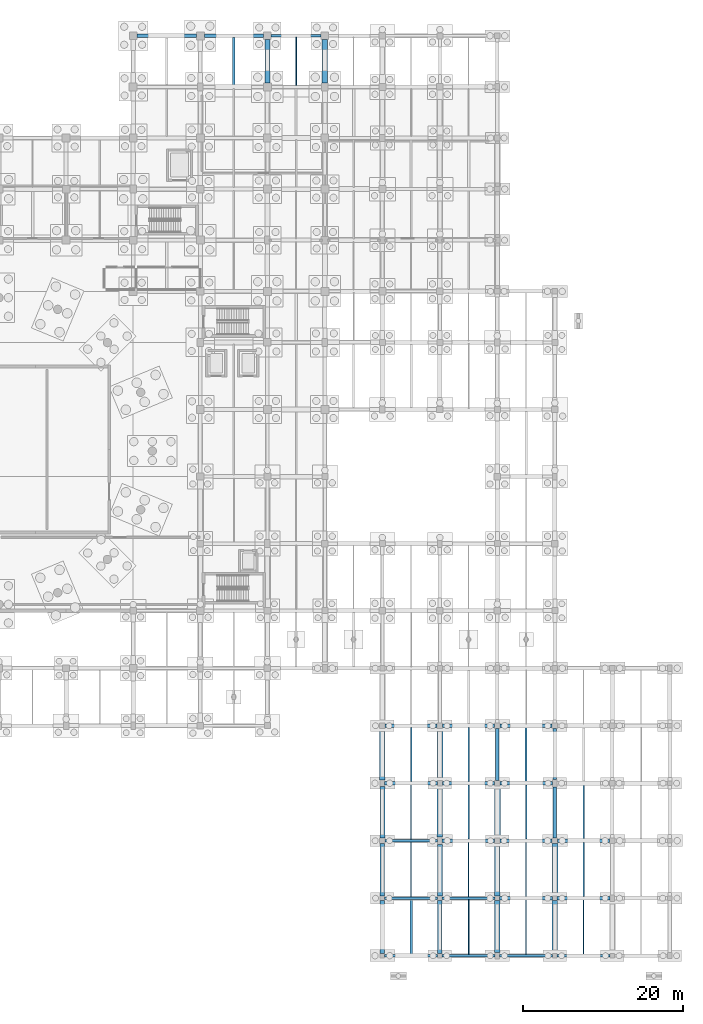
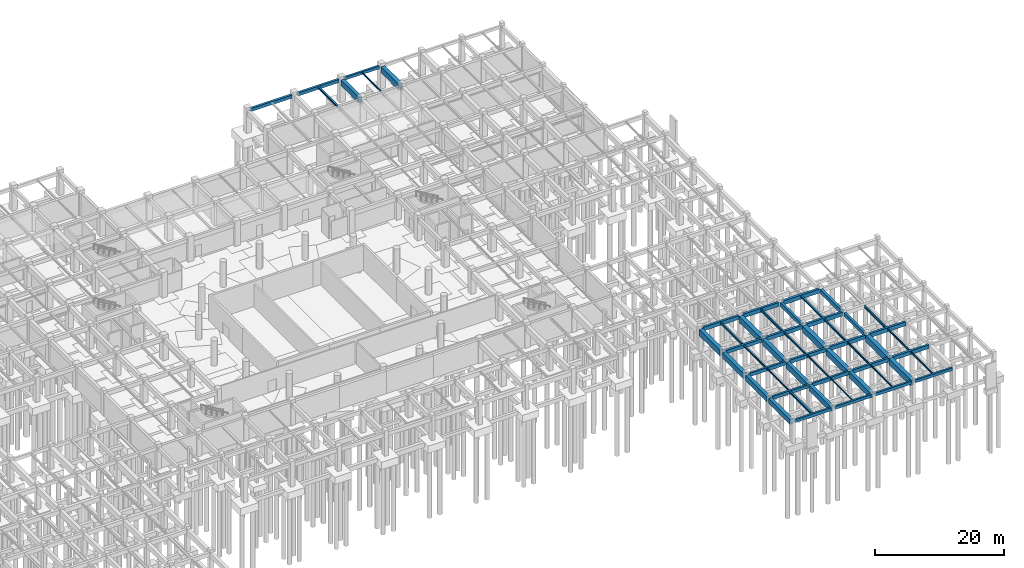
# One storey, part 26 of 44: 56 beams.
"""IFC4 building model written with IfcOpenShell, lengths in metres."""

import ifcopenshell
import ifcopenshell.guid

model = None  # the IFC model being written
_history = None  # IfcOwnerHistory: only IFC2X3 demands one
_inside = {}  # id of a spatial element -> (the spatial element, [elements in it])
_under = {}  # id of a project, library or spatial element -> (it, [spatial elements below it])
_declared = {}  # id of a project -> (the project, [libraries it declares])
_typed = {}  # id of a type object -> (the type object, [elements of that type])
_made_of = {}  # id of a material, layer set ... -> (it, [elements and type objects made of it])


def new_model(schema):
    """Start an empty IFC model of exactly this schema.

    Asked for "IFC4X3", IfcOpenShell would pick the latest addendum, in which some entities
    have other attributes; the version numbers below select the first issue.
    IFC2X3 requires an IfcOwnerHistory on every rooted entity: one is made here for all.
    """
    global model, _history
    if schema == "IFC4X3":
        model = ifcopenshell.file(schema_version=(4, 3, 0, 0))
    else:
        model = ifcopenshell.file(schema=schema)
    _inside.clear()
    _under.clear()
    _declared.clear()
    _typed.clear()
    _made_of.clear()
    _history = None
    if model.schema == "IFC2X3":
        org = make("IfcOrganization", Name="unknown")
        user = make(
            "IfcPersonAndOrganization",
            ThePerson=make("IfcPerson", FamilyName="unknown"),
            TheOrganization=org,
        )
        app = make(
            "IfcApplication",
            ApplicationDeveloper=org,
            Version="unknown",
            ApplicationFullName="unknown",
            ApplicationIdentifier="unknown",
        )
        _history = make(
            "IfcOwnerHistory",
            OwningUser=user,
            OwningApplication=app,
            ChangeAction="ADDED",
            CreationDate=0,
        )
    return model


def make(cls, **values):
    """One entity of the class cls with the attributes given. An attribute that is None is left unset."""
    return model.create_entity(
        cls, **{name: value for name, value in values.items() if value is not None}
    )


def rooted(cls, **values):
    """An entity with a GlobalId (a new one), such as an element, a storey or a relation."""
    return make(cls, GlobalId=ifcopenshell.guid.new(), OwnerHistory=_history, **values)


def si_unit(unit_type, name, prefix=None):
    """IfcSIUnit, for example si_unit("LENGTHUNIT", "METRE", prefix="MILLI")."""
    return make("IfcSIUnit", UnitType=unit_type, Prefix=prefix, Name=name)


def assignment(units):
    """IfcUnitAssignment: the units of a project."""
    return None if units is None else make("IfcUnitAssignment", Units=units)


def point(xyz):
    """IfcCartesianPoint."""
    return None if xyz is None else make("IfcCartesianPoint", Coordinates=xyz)


def direction(xyz):
    """IfcDirection."""
    return None if xyz is None else make("IfcDirection", DirectionRatios=xyz)


def frame(location, z_axis=None, x_axis=None):
    """IfcAxis2Placement3D, a coordinate frame: its origin and axes. An axis left out is left unset."""
    return make(
        "IfcAxis2Placement3D",
        Location=point(location),
        Axis=direction(z_axis),
        RefDirection=direction(x_axis),
    )


def frame_2d(location, x_axis=None):
    """IfcAxis2Placement2D, a coordinate frame in the plane: its origin and x axis."""
    return make(
        "IfcAxis2Placement2D", Location=point(location), RefDirection=direction(x_axis)
    )


def origin():
    """The frame at (0, 0, 0) with its axes left unset."""
    return frame((0.0, 0.0, 0.0))


def origin_2d():
    """The frame at (0, 0) in the plane with its x axis left unset."""
    return frame_2d((0.0, 0.0))


def place(relative_to, where):
    """IfcLocalPlacement: puts the frame where relative to a parent placement (None: the world)."""
    return make(
        "IfcLocalPlacement", PlacementRelTo=relative_to, RelativePlacement=where
    )


def context(
    kind, dimensions, precision=None, world=None, true_north=None, identifier=None
):
    """IfcGeometricRepresentationContext, for example the 3D "Model" context."""
    return make(
        "IfcGeometricRepresentationContext",
        ContextIdentifier=identifier,
        ContextType=kind,
        CoordinateSpaceDimension=dimensions,
        Precision=precision,
        WorldCoordinateSystem=world,
        TrueNorth=true_north,
    )


def subcontext(parent, identifier, kind, view, scale=None):
    """IfcGeometricRepresentationSubContext, for example "Body" below "Model"."""
    return make(
        "IfcGeometricRepresentationSubContext",
        ContextIdentifier=identifier,
        ContextType=kind,
        ParentContext=parent,
        TargetScale=scale,
        TargetView=view,
    )


def project(units=None, contexts=None):
    """IfcProject with its units and contexts."""
    return rooted(
        "IfcProject",
        Name="project",
        RepresentationContexts=contexts,
        UnitsInContext=assignment(units),
    )


def spatial(cls, under=None, at=None, **own):
    """A site, building, storey or space (cls), placed at a placement, below another one or the project."""
    s = rooted(cls, ObjectPlacement=at, **own)
    if under is not None:
        _under.setdefault(under.id(), (under, []))[1].append(s)
    return s


def profile(cls, at=None, kind="AREA", **sizes):
    """A parametric profile (cls). Its sizes go by their IFC names, for example OverallWidth=200.0."""
    return make(cls, ProfileType=kind, Position=at, **sizes)


def rectangle(**sizes):
    """IfcRectangleProfileDef."""
    return profile("IfcRectangleProfileDef", **sizes)


def i_section(**sizes):
    """IfcIShapeProfileDef."""
    return profile("IfcIShapeProfileDef", **sizes)


def extrude(swept, where, along, depth):
    """IfcExtrudedAreaSolid: the profile swept, set in the frame where, extruded along a direction by depth."""
    return make(
        "IfcExtrudedAreaSolid",
        SweptArea=swept,
        Position=where,
        ExtrudedDirection=direction(along),
        Depth=depth,
    )


def shape(context_of_items, identifier, shape_type, items):
    """IfcShapeRepresentation: the items that make up one representation, for example the "Body"."""
    return make(
        "IfcShapeRepresentation",
        ContextOfItems=context_of_items,
        RepresentationIdentifier=identifier,
        RepresentationType=shape_type,
        Items=items,
    )


def material(Name=None, Category=None):
    """IfcMaterial."""
    return make("IfcMaterial", Name=Name, Category=Category)


def material_profile(
    of_material, cross_section, Name=None, Category=None, Priority=None
):
    """IfcMaterialProfile: a cross section and its material."""
    return make(
        "IfcMaterialProfile",
        Name=Name,
        Material=of_material,
        Profile=cross_section,
        Priority=Priority,
        Category=Category,
    )


def profile_set(profiles, Name=None, composite=None):
    """IfcMaterialProfileSet."""
    return make(
        "IfcMaterialProfileSet",
        Name=Name,
        MaterialProfiles=profiles,
        CompositeProfile=composite,
    )


def made_of(thing, what):
    """Note that an element or type object is made of a material, layer set ...; save() writes the relation."""
    if what is not None:
        _made_of.setdefault(what.id(), (what, []))[1].append(thing)
    return thing


def type_object(cls, material=None, **own):
    """A type object (cls), such as IfcWallType, which elements share."""
    return made_of(rooted(cls, **own), material)


def element(
    cls,
    number,
    at=None,
    inside=None,
    cuts=None,
    type_object=None,
    material=None,
    context=None,
    identifier="Body",
    shape_type=None,
    held_by="IfcProductDefinitionShape",
    body=None,
    shapes=None,
    **own,
):
    """One element of the class cls, such as IfcWall. Its Tag is "e" and its number.

    at: its placement. inside: the storey or other place that contains it. cuts: it is an
    opening in that element (IfcRelVoidsElement). A single representation is given by context,
    identifier, shape_type and body (its items); several are given by shapes. held_by: the class
    of the entity that holds the representations. save() writes the other relations.
    """
    e = rooted(cls, Tag="e%d" % number, ObjectPlacement=at, **own)
    if body is not None:
        shapes = [shape(context, identifier, shape_type, body)]
    if shapes is not None:
        e.Representation = make(held_by, Representations=shapes)
    if inside is not None:
        _inside.setdefault(inside.id(), (inside, []))[1].append(e)
    if cuts is not None:
        rooted(
            "IfcRelVoidsElement", RelatingBuildingElement=cuts, RelatedOpeningElement=e
        )
    if type_object is not None:
        _typed.setdefault(type_object.id(), (type_object, []))[1].append(e)
    return made_of(e, material)


def aggregate(whole, parts):
    """IfcRelAggregates: a whole, such as a stair, and the parts it consists of."""
    return rooted("IfcRelAggregates", RelatingObject=whole, RelatedObjects=parts)


def save(model, path):
    """Write the relations noted so far, then the file.

    IfcRelAggregates (storeys below a building ...), IfcRelContainedInSpatialStructure (elements
    in a storey), IfcRelDefinesByType, IfcRelAssociatesMaterial and IfcRelDeclares: one each for
    every whole, place, type object, material and project.
    """
    for whole, parts in _under.values():
        aggregate(whole, parts)
    for where, things in _inside.values():
        rooted(
            "IfcRelContainedInSpatialStructure",
            RelatedElements=things,
            RelatingStructure=where,
        )
    for kind, things in _typed.values():
        rooted("IfcRelDefinesByType", RelatedObjects=things, RelatingType=kind)
    for what, things in _made_of.values():
        rooted("IfcRelAssociatesMaterial", RelatedObjects=things, RelatingMaterial=what)
    for by, libraries in _declared.values():
        rooted("IfcRelDeclares", RelatingContext=by, RelatedDefinitions=libraries)
    model.write(path)


model = new_model("IFC4")

# Units and contexts
model_context = context("Model", 3, precision=1e-05, world=origin(), true_north=direction((0.0, 1.0)))
body_context = subcontext(model_context, "Body", "Model", "MODEL_VIEW")
ifc_project = project(units=[si_unit("LENGTHUNIT", "METRE"), si_unit("AREAUNIT", "SQUARE_METRE"), si_unit("VOLUMEUNIT", "CUBIC_METRE"), si_unit("PLANEANGLEUNIT", "RADIAN"), si_unit("MASSUNIT", "GRAM", prefix="KILO")], contexts=[model_context])

# Site, building, storey
site_placement = place(None, origin())
site = spatial("IfcSite", under=ifc_project, at=site_placement, CompositionType="ELEMENT")
building_placement = place(site_placement, origin())
building = spatial("IfcBuilding", under=site, at=building_placement, Name="Korsvaeld Concert Hall", CompositionType="ELEMENT")
storey_placement = place(building_placement, frame((0.0, 0.0, -4.800048828125)))
storey = spatial("IfcBuildingStorey", under=building, at=storey_placement, Name="B1", CompositionType="ELEMENT", Elevation=-4.800048828125)

# Beams
ifc_material_1 = material(Name="Concrete C35/45", Category="concrete")
ifc_material_profile_1 = material_profile(ifc_material_1, rectangle(XDim=0.35009765625, YDim=0.60009765625, at=origin_2d()), Name="RC 350x600")
ifc_profile_set_1 = profile_set([ifc_material_profile_1], Name="Concrete C35/45")
beam_type_1 = type_object("IfcBeamType", Name="BM-RC-350x600", PredefinedType="T_BEAM", material=ifc_profile_set_1)
beam_1_placement = place(storey_placement, frame((132.27490234375, 7.199951171875, 3.949951171875), z_axis=(1.0, 0.0, 0.0), x_axis=(0.0, 1.0, 0.0)))
element("IfcBeam", 1, at=beam_1_placement, inside=storey, type_object=beam_type_1, Name="Primary girder 18-19/B B1", PredefinedType="T_BEAM", context=body_context, shape_type="SweptSolid", body=[
    extrude(rectangle(XDim=0.35009765625, YDim=0.60009765625, at=origin_2d()), origin(), (0.0, 0.0, 1.0), 6.650146484375),
])
ifc_material_profile_2 = material_profile(ifc_material_1, rectangle(XDim=0.35009765625, YDim=0.64990234375, at=origin_2d()), Name="RC 350x650")
ifc_profile_set_2 = profile_set([ifc_material_profile_2], Name="Concrete C35/45")
beam_type_2 = type_object("IfcBeamType", Name="BM-RC-350x650", PredefinedType="T_BEAM", material=ifc_profile_set_2)
beam_2_placement = place(storey_placement, frame((139.47509765625, 7.199951171875, 3.925048828125), z_axis=(1.0, 0.0, 0.0), x_axis=(0.0, 1.0, 0.0)))
element("IfcBeam", 2, at=beam_2_placement, inside=storey, type_object=beam_type_2, Name="Primary girder 19-20/B B1", PredefinedType="T_BEAM", context=body_context, shape_type="SweptSolid", body=[
    extrude(rectangle(XDim=0.35009765625, YDim=0.64990234375, at=origin_2d()), origin(), (0.0, 0.0, 1.0), 6.64990234375),
])
beam_3_placement = place(storey_placement, frame((132.35009765625, 14.39990234375, 3.925048828125), z_axis=(1.0, 0.0, 0.0), x_axis=(0.0, 1.0, 0.0)))
element("IfcBeam", 3, at=beam_3_placement, inside=storey, type_object=beam_type_2, Name="Primary girder 18-19/C B1", PredefinedType="T_BEAM", context=body_context, shape_type="SweptSolid", body=[
    extrude(rectangle(XDim=0.35009765625, YDim=0.64990234375, at=origin_2d()), origin(), (0.0, 0.0, 1.0), 6.5498046875),
])
ifc_material_profile_3 = material_profile(ifc_material_1, rectangle(XDim=0.39990234375, YDim=0.64990234375, at=origin_2d()), Name="RC 400x650")
ifc_profile_set_3 = profile_set([ifc_material_profile_3], Name="Concrete C35/45")
beam_type_3 = type_object("IfcBeamType", Name="BM-RC-400x650", PredefinedType="T_BEAM", material=ifc_profile_set_3)
beam_4_placement = place(storey_placement, frame((146.675048828125, 7.199951171875, 3.925048828125), z_axis=(1.0, 0.0, 0.0), x_axis=(0.0, 1.0, 0.0)))
element("IfcBeam", 4, at=beam_4_placement, inside=storey, type_object=beam_type_3, Name="Primary girder 20-21/B B1", PredefinedType="T_BEAM", context=body_context, shape_type="SweptSolid", body=[
    extrude(rectangle(XDim=0.39990234375, YDim=0.64990234375, at=origin_2d()), origin(), (0.0, 0.0, 1.0), 6.625),
])
beam_5_placement = place(storey_placement, frame((139.5, 14.39990234375, 3.925048828125), z_axis=(1.0, 0.0, 0.0), x_axis=(0.0, 1.0, 0.0)))
element("IfcBeam", 5, at=beam_5_placement, inside=storey, type_object=beam_type_3, Name="Primary girder 19-20/C B1", PredefinedType="T_BEAM", context=body_context, shape_type="SweptSolid", body=[
    extrude(rectangle(XDim=0.39990234375, YDim=0.64990234375, at=origin_2d()), origin(), (0.0, 0.0, 1.0), 6.550048828125),
])
beam_6_placement = place(storey_placement, frame((132.300048828125, 21.60009765625, 3.925048828125), z_axis=(1.0, 0.0, 0.0), x_axis=(0.0, 1.0, 0.0)))
element("IfcBeam", 6, at=beam_6_placement, inside=storey, type_object=beam_type_3, Name="Primary girder 18-19/D B1", PredefinedType="T_BEAM", context=body_context, shape_type="SweptSolid", body=[
    extrude(rectangle(XDim=0.39990234375, YDim=0.64990234375, at=origin_2d()), origin(), (0.0, 0.0, 1.0), 6.574951171875),
])
ifc_material_profile_4 = material_profile(ifc_material_1, rectangle(XDim=0.39990234375, YDim=0.699951171875, at=origin_2d()), Name="RC 400x700")
ifc_profile_set_4 = profile_set([ifc_material_profile_4], Name="Concrete C35/45")
beam_type_4 = type_object("IfcBeamType", Name="BM-RC-400x700", PredefinedType="T_BEAM", material=ifc_profile_set_4)
beam_7_placement = place(storey_placement, frame((153.89990234375, 7.199951171875, 3.900146484375), z_axis=(1.0, 0.0, 0.0), x_axis=(0.0, 1.0, 0.0)))
element("IfcBeam", 7, at=beam_7_placement, inside=storey, type_object=beam_type_4, Name="Primary girder 21-22/B B1", PredefinedType="T_BEAM", context=body_context, shape_type="SweptSolid", body=[
    extrude(rectangle(XDim=0.39990234375, YDim=0.699951171875, at=origin_2d()), origin(), (0.0, 0.0, 1.0), 6.60009765625),
])
beam_8_placement = place(storey_placement, frame((146.75, 14.39990234375, 3.900146484375), z_axis=(1.0, 0.0, 0.0), x_axis=(0.0, 1.0, 0.0)))
element("IfcBeam", 8, at=beam_8_placement, inside=storey, type_object=beam_type_4, Name="Primary girder 20-21/C B1", PredefinedType="T_BEAM", context=body_context, shape_type="SweptSolid", body=[
    extrude(rectangle(XDim=0.39990234375, YDim=0.699951171875, at=origin_2d()), origin(), (0.0, 0.0, 1.0), 6.52490234375),
])
beam_9_placement = place(storey_placement, frame((139.52490234375, 21.60009765625, 3.900146484375), z_axis=(1.0, 0.0, 0.0), x_axis=(0.0, 1.0, 0.0)))
element("IfcBeam", 9, at=beam_9_placement, inside=storey, type_object=beam_type_4, Name="Primary girder 19-20/D B1", PredefinedType="T_BEAM", context=body_context, shape_type="SweptSolid", body=[
    extrude(rectangle(XDim=0.39990234375, YDim=0.699951171875, at=origin_2d()), origin(), (0.0, 0.0, 1.0), 6.550048828125),
])
beam_10_placement = place(storey_placement, frame((132.35009765625, 28.800048828125, 3.900146484375), z_axis=(1.0, 0.0, 0.0), x_axis=(0.0, 1.0, 0.0)))
element("IfcBeam", 10, at=beam_10_placement, inside=storey, type_object=beam_type_4, Name="Primary girder 18-19/E B1", PredefinedType="T_BEAM", context=body_context, shape_type="SweptSolid", body=[
    extrude(rectangle(XDim=0.39990234375, YDim=0.699951171875, at=origin_2d()), origin(), (0.0, 0.0, 1.0), 6.5),
])
beam_11_placement = place(storey_placement, frame((146.39990234375, 21.925048828125, 3.900146484375), z_axis=(0.0, 1.0, 0.0), x_axis=(-1.0, 0.0, 0.0)))
element("IfcBeam", 11, at=beam_11_placement, inside=storey, type_object=beam_type_4, Name="Primary girder 20/D-E B1", PredefinedType="T_BEAM", context=body_context, shape_type="SweptSolid", body=[
    extrude(rectangle(XDim=0.39990234375, YDim=0.699951171875, at=origin_2d()), origin(), (0.0, 0.0, 1.0), 6.52490234375),
])
beam_12_placement = place(storey_placement, frame((153.60009765625, 14.72509765625, 3.900146484375), z_axis=(0.0, 1.0, 0.0), x_axis=(-1.0, 0.0, 0.0)))
element("IfcBeam", 12, at=beam_12_placement, inside=storey, type_object=beam_type_4, Name="Primary girder 21/C-D B1", PredefinedType="T_BEAM", context=body_context, shape_type="SweptSolid", body=[
    extrude(rectangle(XDim=0.39990234375, YDim=0.699951171875, at=origin_2d()), origin(), (0.0, 0.0, 1.0), 6.4248046875),
])
ifc_material_profile_5 = material_profile(ifc_material_1, rectangle(XDim=0.39990234375, YDim=0.75, at=origin_2d()), Name="RC 400x750")
ifc_profile_set_5 = profile_set([ifc_material_profile_5], Name="Concrete C35/45")
beam_type_5 = type_object("IfcBeamType", Name="BM-RC-400x750", PredefinedType="T_BEAM", material=ifc_profile_set_5)
beam_13_placement = place(storey_placement, frame((153.925048828125, 14.39990234375, 3.875), z_axis=(1.0, 0.0, 0.0), x_axis=(0.0, 1.0, 0.0)))
element("IfcBeam", 13, at=beam_13_placement, inside=storey, type_object=beam_type_5, Name="Primary girder 21-22/C B1", PredefinedType="T_BEAM", context=body_context, shape_type="SweptSolid", body=[
    extrude(rectangle(XDim=0.39990234375, YDim=0.75, at=origin_2d()), origin(), (0.0, 0.0, 1.0), 6.550048828125),
])
beam_14_placement = place(storey_placement, frame((146.72509765625, 21.60009765625, 3.875), z_axis=(1.0, 0.0, 0.0), x_axis=(0.0, 1.0, 0.0)))
element("IfcBeam", 14, at=beam_14_placement, inside=storey, type_object=beam_type_5, Name="Primary girder 20-21/D B1", PredefinedType="T_BEAM", context=body_context, shape_type="SweptSolid", body=[
    extrude(rectangle(XDim=0.39990234375, YDim=0.75, at=origin_2d()), origin(), (0.0, 0.0, 1.0), 6.574951171875),
])
beam_15_placement = place(storey_placement, frame((139.550048828125, 28.800048828125, 3.875), z_axis=(1.0, 0.0, 0.0), x_axis=(0.0, 1.0, 0.0)))
element("IfcBeam", 15, at=beam_15_placement, inside=storey, type_object=beam_type_5, Name="Primary girder 19-20/E B1", PredefinedType="T_BEAM", context=body_context, shape_type="SweptSolid", body=[
    extrude(rectangle(XDim=0.39990234375, YDim=0.75, at=origin_2d()), origin(), (0.0, 0.0, 1.0), 6.5),
])
ifc_material_profile_6 = material_profile(ifc_material_1, rectangle(XDim=0.449951171875, YDim=0.75, at=origin_2d()), Name="RC 450x750")
ifc_profile_set_6 = profile_set([ifc_material_profile_6], Name="Concrete C35/45")
beam_type_6 = type_object("IfcBeamType", Name="BM-RC-450x750", PredefinedType="T_BEAM", material=ifc_profile_set_6)
beam_16_placement = place(storey_placement, frame((146.75, 28.800048828125, 3.875), z_axis=(1.0, 0.0, 0.0), x_axis=(0.0, 1.0, 0.0)))
element("IfcBeam", 16, at=beam_16_placement, inside=storey, type_object=beam_type_6, Name="Primary girder 20-21/E B1", PredefinedType="T_BEAM", context=body_context, shape_type="SweptSolid", body=[
    extrude(rectangle(XDim=0.449951171875, YDim=0.75, at=origin_2d()), origin(), (0.0, 0.0, 1.0), 6.52490234375),
])
ifc_material_profile_7 = material_profile(ifc_material_1, rectangle(XDim=0.449951171875, YDim=0.800048828125, at=origin_2d()), Name="RC 450x800")
ifc_profile_set_7 = profile_set([ifc_material_profile_7], Name="Concrete C35/45")
beam_type_7 = type_object("IfcBeamType", Name="BM-RC-450x800", PredefinedType="T_BEAM", material=ifc_profile_set_7)
beam_17_placement = place(storey_placement, frame((153.60009765625, 22.050048828125, 3.85009765625), z_axis=(0.0, 1.0, 0.0), x_axis=(-1.0, 0.0, 0.0)))
element("IfcBeam", 17, at=beam_17_placement, inside=storey, type_object=beam_type_7, Name="Primary girder 21/D-E B1", PredefinedType="T_BEAM", context=body_context, shape_type="SweptSolid", body=[
    extrude(rectangle(XDim=0.449951171875, YDim=0.800048828125, at=origin_2d()), origin(), (0.0, 0.0, 1.0), 6.425048828125),
])
ifc_material_2 = material(Name="Concrete C40/50", Category="concrete")
ifc_material_profile_8 = material_profile(ifc_material_2, rectangle(XDim=0.60009765625, YDim=1.050048828125, at=origin_2d()), Name="RC 600x1050")
ifc_profile_set_8 = profile_set([ifc_material_profile_8], Name="Concrete C40/50")
beam_type_8 = type_object("IfcBeamType", Name="BM-RC-600x1050", PredefinedType="T_BEAM", material=ifc_profile_set_8)
beam_18_placement = place(storey_placement, frame((132.0, 7.47509765625, 3.72509765625), z_axis=(0.0, 1.0, 0.0), x_axis=(-1.0, 0.0, 0.0)))
element("IfcBeam", 18, at=beam_18_placement, inside=storey, type_object=beam_type_8, Name="Primary girder 18/B-C B1", PredefinedType="T_BEAM", context=body_context, shape_type="SweptSolid", body=[
    extrude(rectangle(XDim=0.60009765625, YDim=1.050048828125, at=origin_2d()), origin(), (0.0, 0.0, 1.0), 6.574951171875),
])
beam_19_placement = place(storey_placement, frame((139.199951171875, 0.300048828125, 3.72509765625), z_axis=(0.0, 1.0, 0.0), x_axis=(-1.0, 0.0, 0.0)))
element("IfcBeam", 19, at=beam_19_placement, inside=storey, type_object=beam_type_8, Name="Primary girder 19/A-B B1", PredefinedType="T_BEAM", context=body_context, shape_type="SweptSolid", body=[
    extrude(rectangle(XDim=0.60009765625, YDim=1.050048828125, at=origin_2d()), origin(), (0.0, 0.0, 1.0), 6.625),
])
ifc_material_profile_9 = material_profile(ifc_material_2, rectangle(XDim=0.60009765625, YDim=0.949951171875, at=origin_2d()), Name="RC 600x950")
ifc_profile_set_9 = profile_set([ifc_material_profile_9], Name="Concrete C40/50")
beam_type_9 = type_object("IfcBeamType", Name="BM-RC-600x950", PredefinedType="T_BEAM", material=ifc_profile_set_9)
beam_20_placement = place(storey_placement, frame((132.0, 0.300048828125, 3.775146484375), z_axis=(0.0, 1.0, 0.0), x_axis=(-1.0, 0.0, 0.0)))
element("IfcBeam", 20, at=beam_20_placement, inside=storey, type_object=beam_type_9, Name="Primary girder 18/A-B B1", PredefinedType="T_BEAM", context=body_context, shape_type="SweptSolid", body=[
    extrude(rectangle(XDim=0.60009765625, YDim=0.949951171875, at=origin_2d()), origin(), (0.0, 0.0, 1.0), 6.625),
])
ifc_material_profile_10 = material_profile(ifc_material_2, rectangle(XDim=0.64990234375, YDim=1.10009765625, at=origin_2d()), Name="RC 650x1100")
ifc_profile_set_10 = profile_set([ifc_material_profile_10], Name="Concrete C40/50")
beam_type_10 = type_object("IfcBeamType", Name="BM-RC-650x1100", PredefinedType="T_BEAM", material=ifc_profile_set_10)
beam_21_placement = place(storey_placement, frame((117.60009765625, 109.300048828125, 3.699951171875), z_axis=(0.0, 1.0, 0.0), x_axis=(-1.0, 0.0, 0.0)))
element("IfcBeam", 21, at=beam_21_placement, inside=storey, type_object=beam_type_10, Name="Primary girder 16/R-S B1", PredefinedType="T_BEAM", context=body_context, shape_type="SweptSolid", body=[
    extrude(rectangle(XDim=0.64990234375, YDim=1.10009765625, at=origin_2d()), origin(), (0.0, 0.0, 1.0), 5.425048828125),
])
beam_22_placement = place(storey_placement, frame((132.0, 14.75, 3.699951171875), z_axis=(0.0, 1.0, 0.0), x_axis=(-1.0, 0.0, 0.0)))
element("IfcBeam", 22, at=beam_22_placement, inside=storey, type_object=beam_type_10, Name="Primary girder 18/C-D B1", PredefinedType="T_BEAM", context=body_context, shape_type="SweptSolid", body=[
    extrude(rectangle(XDim=0.64990234375, YDim=1.10009765625, at=origin_2d()), origin(), (0.0, 0.0, 1.0), 6.449951171875),
])
beam_23_placement = place(storey_placement, frame((139.199951171875, 7.47509765625, 3.699951171875), z_axis=(0.0, 1.0, 0.0), x_axis=(-1.0, 0.0, 0.0)))
element("IfcBeam", 23, at=beam_23_placement, inside=storey, type_object=beam_type_10, Name="Primary girder 19/B-C B1", PredefinedType="T_BEAM", context=body_context, shape_type="SweptSolid", body=[
    extrude(rectangle(XDim=0.64990234375, YDim=1.10009765625, at=origin_2d()), origin(), (0.0, 0.0, 1.0), 6.474853515625),
])
beam_24_placement = place(storey_placement, frame((146.39990234375, 0.39990234375, 3.699951171875), z_axis=(0.0, 1.0, 0.0), x_axis=(-1.0, 0.0, 0.0)))
element("IfcBeam", 24, at=beam_24_placement, inside=storey, type_object=beam_type_10, Name="Primary girder 20/A-B B1", PredefinedType="T_BEAM", context=body_context, shape_type="SweptSolid", body=[
    extrude(rectangle(XDim=0.64990234375, YDim=1.10009765625, at=origin_2d()), origin(), (0.0, 0.0, 1.0), 6.525146484375),
])
ifc_material_profile_11 = material_profile(ifc_material_2, rectangle(XDim=0.699951171875, YDim=1.14990234375, at=origin_2d()), Name="RC 700x1150")
ifc_profile_set_11 = profile_set([ifc_material_profile_11], Name="Concrete C40/50")
beam_type_11 = type_object("IfcBeamType", Name="BM-RC-700x1150", PredefinedType="T_BEAM", material=ifc_profile_set_11)
beam_25_placement = place(storey_placement, frame((124.800048828125, 109.300048828125, 3.675048828125), z_axis=(0.0, 1.0, 0.0), x_axis=(-1.0, 0.0, 0.0)))
element("IfcBeam", 25, at=beam_25_placement, inside=storey, type_object=beam_type_11, Name="Primary girder 17/R-S B1", PredefinedType="T_BEAM", context=body_context, shape_type="SweptSolid", body=[
    extrude(rectangle(XDim=0.699951171875, YDim=1.14990234375, at=origin_2d()), origin(), (0.0, 0.0, 1.0), 5.425048828125),
])
beam_26_placement = place(storey_placement, frame((132.0, 22.0, 3.675048828125), z_axis=(0.0, 1.0, 0.0), x_axis=(-1.0, 0.0, 0.0)))
element("IfcBeam", 26, at=beam_26_placement, inside=storey, type_object=beam_type_11, Name="Primary girder 18/D-E B1", PredefinedType="T_BEAM", context=body_context, shape_type="SweptSolid", body=[
    extrude(rectangle(XDim=0.699951171875, YDim=1.14990234375, at=origin_2d()), origin(), (0.0, 0.0, 1.0), 6.449951171875),
])
beam_27_placement = place(storey_placement, frame((139.199951171875, 14.85009765625, 3.675048828125), z_axis=(0.0, 1.0, 0.0), x_axis=(-1.0, 0.0, 0.0)))
element("IfcBeam", 27, at=beam_27_placement, inside=storey, type_object=beam_type_11, Name="Primary girder 19/C-D B1", PredefinedType="T_BEAM", context=body_context, shape_type="SweptSolid", body=[
    extrude(rectangle(XDim=0.699951171875, YDim=1.14990234375, at=origin_2d()), origin(), (0.0, 0.0, 1.0), 6.4248046875),
])
beam_28_placement = place(storey_placement, frame((146.39990234375, 7.47509765625, 3.675048828125), z_axis=(0.0, 1.0, 0.0), x_axis=(-1.0, 0.0, 0.0)))
element("IfcBeam", 28, at=beam_28_placement, inside=storey, type_object=beam_type_11, Name="Primary girder 20/B-C B1", PredefinedType="T_BEAM", context=body_context, shape_type="SweptSolid", body=[
    extrude(rectangle(XDim=0.699951171875, YDim=1.14990234375, at=origin_2d()), origin(), (0.0, 0.0, 1.0), 6.574951171875),
])
beam_29_placement = place(storey_placement, frame((153.60009765625, 0.27490234375, 3.675048828125), z_axis=(0.0, 1.0, 0.0), x_axis=(-1.0, 0.0, 0.0)))
element("IfcBeam", 29, at=beam_29_placement, inside=storey, type_object=beam_type_11, Name="Primary girder 21/A-B B1", PredefinedType="T_BEAM", context=body_context, shape_type="SweptSolid", body=[
    extrude(rectangle(XDim=0.699951171875, YDim=1.14990234375, at=origin_2d()), origin(), (0.0, 0.0, 1.0), 6.625),
])
ifc_material_profile_12 = material_profile(ifc_material_2, rectangle(XDim=0.75, YDim=1.199951171875, at=origin_2d()), Name="RC 750x1200")
ifc_profile_set_12 = profile_set([ifc_material_profile_12], Name="Concrete C40/50")
beam_type_12 = type_object("IfcBeamType", Name="BM-RC-750x1200", PredefinedType="T_BEAM", material=ifc_profile_set_12)
for number, where, z_axis, x_axis, name in (
    (30, (139.199951171875, 21.925048828125, 3.650146484375), (0.0, 1.0, 0.0), (-1.0, 0.0, 0.0), "Primary girder 19/D-E B1"),
    (31, (146.39990234375, 14.75, 3.650146484375), (0.0, 1.0, 0.0), (-1.0, 0.0, 0.0), "Primary girder 20/C-D B1"),
):
    element("IfcBeam", number, at=place(storey_placement, frame(where, z_axis=z_axis, x_axis=x_axis)), inside=storey, type_object=beam_type_12, Name=name, PredefinedType="T_BEAM", context=body_context, shape_type="SweptSolid", body=[
        extrude(rectangle(XDim=0.75, YDim=1.199951171875, at=origin_2d()), origin(), (0.0, 0.0, 1.0), 6.52490234375),
    ])
beam_30_placement = place(storey_placement, frame((153.60009765625, 7.5, 3.650146484375), z_axis=(0.0, 1.0, 0.0), x_axis=(-1.0, 0.0, 0.0)))
element("IfcBeam", 32, at=beam_30_placement, inside=storey, type_object=beam_type_12, Name="Primary girder 21/B-C B1", PredefinedType="T_BEAM", context=body_context, shape_type="SweptSolid", body=[
    extrude(rectangle(XDim=0.75, YDim=1.199951171875, at=origin_2d()), origin(), (0.0, 0.0, 1.0), 6.574951171875),
])
ifc_material_profile_13 = material_profile(ifc_material_1, rectangle(XDim=0.35009765625, YDim=0.550048828125, at=origin_2d()), Name="RC 350x550")
ifc_profile_set_13 = profile_set([ifc_material_profile_13], Name="Concrete C35/45")
beam_type_13 = type_object("IfcBeamType", Name="BM-SP-350x550", PredefinedType="SPANDREL", material=ifc_profile_set_13)
beam_31_placement = place(storey_placement, frame((132.300048828125, 0.0, 3.97509765625), z_axis=(1.0, 0.0, 0.0), x_axis=(0.0, 1.0, 0.0)))
element("IfcBeam", 33, at=beam_31_placement, inside=storey, type_object=beam_type_13, Name="Primary girder 18-19/A B1", PredefinedType="SPANDREL", context=body_context, shape_type="SweptSolid", body=[
    extrude(rectangle(XDim=0.35009765625, YDim=0.550048828125, at=origin_2d()), origin(), (0.0, 0.0, 1.0), 6.599853515625),
])
beam_32_placement = place(storey_placement, frame((139.5, 0.0, 3.97509765625), z_axis=(1.0, 0.0, 0.0), x_axis=(0.0, 1.0, 0.0)))
element("IfcBeam", 34, at=beam_32_placement, inside=storey, type_object=beam_type_13, Name="Primary girder 19-20/A B1", PredefinedType="SPANDREL", context=body_context, shape_type="SweptSolid", body=[
    extrude(rectangle(XDim=0.35009765625, YDim=0.550048828125, at=origin_2d()), origin(), (0.0, 0.0, 1.0), 6.60009765625),
])
beam_33_placement = place(storey_placement, frame((146.699951171875, 0.0, 3.97509765625), z_axis=(1.0, 0.0, 0.0), x_axis=(0.0, 1.0, 0.0)))
element("IfcBeam", 35, at=beam_33_placement, inside=storey, type_object=beam_type_13, Name="Primary girder 20-21/A B1", PredefinedType="SPANDREL", context=body_context, shape_type="SweptSolid", body=[
    extrude(rectangle(XDim=0.35009765625, YDim=0.550048828125, at=origin_2d()), origin(), (0.0, 0.0, 1.0), 6.625),
])
beam_34_placement = place(storey_placement, frame((153.875, 0.0, 3.97509765625), z_axis=(1.0, 0.0, 0.0), x_axis=(0.0, 1.0, 0.0)))
element("IfcBeam", 36, at=beam_34_placement, inside=storey, type_object=beam_type_13, Name="Primary girder 21-22/A B1", PredefinedType="SPANDREL", context=body_context, shape_type="SweptSolid", body=[
    extrude(rectangle(XDim=0.35009765625, YDim=0.550048828125, at=origin_2d()), origin(), (0.0, 0.0, 1.0), 6.64990234375),
])
beam_35_placement = place(storey_placement, frame((118.074951171875, 115.199951171875, 3.97509765625), z_axis=(1.0, 0.0, 0.0), x_axis=(0.0, 1.0, 0.0)))
element("IfcBeam", 37, at=beam_35_placement, inside=storey, type_object=beam_type_13, Name="Primary girder 16-17/S B1", PredefinedType="SPANDREL", context=body_context, shape_type="SweptSolid", body=[
    extrude(rectangle(XDim=0.35009765625, YDim=0.550048828125, at=origin_2d()), origin(), (0.0, 0.0, 1.0), 6.25),
])
ifc_material_profile_14 = material_profile(ifc_material_1, rectangle(XDim=0.39990234375, YDim=0.60009765625, at=origin_2d()), Name="RC 400x600")
ifc_profile_set_14 = profile_set([ifc_material_profile_14], Name="Concrete C35/45")
beam_type_14 = type_object("IfcBeamType", Name="BM-SP-400x600", PredefinedType="SPANDREL", material=ifc_profile_set_14)
for number, where, z_axis, x_axis, name in (
    (38, (101.27490234375, 115.199951171875, 3.949951171875), (1.0, 0.0, 0.0), (0.0, 1.0, 0.0), "Primary girder 14-15/S B1"),
    (39, (109.699951171875, 115.199951171875, 3.949951171875), (1.0, 0.0, 0.0), (0.0, 1.0, 0.0), "Primary girder 15-16/S B1"),
):
    element("IfcBeam", number, at=place(storey_placement, frame(where, z_axis=z_axis, x_axis=x_axis)), inside=storey, type_object=beam_type_14, Name=name, PredefinedType="SPANDREL", context=body_context, shape_type="SweptSolid", body=[
        extrude(rectangle(XDim=0.39990234375, YDim=0.60009765625, at=origin_2d()), origin(), (0.0, 0.0, 1.0), 7.425048828125),
    ])
ifc_material_3 = material(Name="Steel S355J2", Category="steel")
ifc_material_profile_15 = material_profile(ifc_material_3, i_section(OverallWidth=0.280029296875, OverallDepth=0.27001953125, WebThickness=0.008056640625, FlangeThickness=0.012939453125, FilletRadius=0.02392578125, at=origin_2d()), Name="HEA 280")
ifc_profile_set_15 = profile_set([ifc_material_profile_15], Name="Steel S355J2")
beam_type_15 = type_object("IfcBeamType", Name="BM-STL-HEA280", PredefinedType="BEAM", material=ifc_profile_set_15)
beam_36_placement = place(storey_placement, frame((150.0, 21.800048828125, 4.114990234375), z_axis=(0.0, 1.0, 0.0), x_axis=(-1.0, 0.0, 0.0)))
element("IfcBeam", 40, at=beam_36_placement, inside=storey, type_object=beam_type_15, Name="Secondary steel floor beam 20-21/D B1", PredefinedType="BEAM", context=body_context, shape_type="SweptSolid", body=[
    extrude(i_section(OverallWidth=0.280029296875, OverallDepth=0.27001953125, WebThickness=0.008056640625, FlangeThickness=0.012939453125, FilletRadius=0.02392578125, at=origin_2d()), origin(), (0.0, 0.0, 1.0), 6.77490234375),
])
ifc_material_profile_16 = material_profile(ifc_material_3, i_section(OverallWidth=0.300048828125, OverallDepth=0.35009765625, WebThickness=0.010009765625, FlangeThickness=0.017578125, FilletRadius=0.027099609375, at=origin_2d()), Name="HEA 360")
ifc_profile_set_16 = profile_set([ifc_material_profile_16], Name="Steel S355J2")
beam_type_16 = type_object("IfcBeamType", Name="BM-STL-HEA360", PredefinedType="BEAM", material=ifc_profile_set_16)
beam_37_placement = place(storey_placement, frame((113.39990234375, 109.0, 4.074951171875), z_axis=(0.0, 1.0, 0.0), x_axis=(-1.0, 0.0, 0.0)))
element("IfcBeam", 41, at=beam_37_placement, inside=storey, type_object=beam_type_16, Name="Secondary steel floor beam 15-16/R B1", PredefinedType="BEAM", context=body_context, shape_type="SweptSolid", body=[
    extrude(i_section(OverallWidth=0.300048828125, OverallDepth=0.35009765625, WebThickness=0.010009765625, FlangeThickness=0.017578125, FilletRadius=0.027099609375, at=origin_2d()), origin(), (0.0, 0.0, 1.0), 6.0),
])
beam_38_placement = place(storey_placement, frame((135.60009765625, 0.175048828125, 4.074951171875), z_axis=(0.0, 1.0, 0.0), x_axis=(-1.0, 0.0, 0.0)))
element("IfcBeam", 42, at=beam_38_placement, inside=storey, type_object=beam_type_16, Name="Secondary steel floor beam 18-19/A B1", PredefinedType="BEAM", context=body_context, shape_type="SweptSolid", body=[
    extrude(i_section(OverallWidth=0.300048828125, OverallDepth=0.35009765625, WebThickness=0.010009765625, FlangeThickness=0.017578125, FilletRadius=0.027099609375, at=origin_2d()), origin(), (0.0, 0.0, 1.0), 6.849853515625),
])
ifc_material_profile_17 = material_profile(ifc_material_3, i_section(OverallWidth=0.1201171875, OverallDepth=0.239990234375, WebThickness=0.006103515625, FlangeThickness=0.009765625, FilletRadius=0.014892578125, at=origin_2d()), Name="IPE 240")
ifc_profile_set_17 = profile_set([ifc_material_profile_17], Name="Steel S355J2")
beam_type_17 = type_object("IfcBeamType", Name="BM-STL-IPE240", PredefinedType="JOIST", material=ifc_profile_set_17)
beam_39_placement = place(storey_placement, frame((121.199951171875, 109.0, 4.130126953125), z_axis=(0.0, 1.0, 0.0), x_axis=(-1.0, 0.0, 0.0)))
element("IfcBeam", 43, at=beam_39_placement, inside=storey, type_object=beam_type_17, Name="Secondary steel floor beam 16-17/R B1", PredefinedType="JOIST", context=body_context, shape_type="SweptSolid", body=[
    extrude(i_section(OverallWidth=0.1201171875, OverallDepth=0.239990234375, WebThickness=0.006103515625, FlangeThickness=0.009765625, FilletRadius=0.014892578125, at=origin_2d()), origin(), (0.0, 0.0, 1.0), 6.02490234375),
])
beam_40_placement = place(storey_placement, frame((142.800048828125, 0.175048828125, 4.130126953125), z_axis=(0.0, 1.0, 0.0), x_axis=(-1.0, 0.0, 0.0)))
element("IfcBeam", 44, at=beam_40_placement, inside=storey, type_object=beam_type_17, Name="Secondary steel floor beam 19-20/A B1", PredefinedType="JOIST", context=body_context, shape_type="SweptSolid", body=[
    extrude(i_section(OverallWidth=0.1201171875, OverallDepth=0.239990234375, WebThickness=0.006103515625, FlangeThickness=0.009765625, FilletRadius=0.014892578125, at=origin_2d()), origin(), (0.0, 0.0, 1.0), 6.849853515625),
])
ifc_material_profile_18 = material_profile(ifc_material_3, i_section(OverallWidth=0.135009765625, OverallDepth=0.27001953125, WebThickness=0.006591796875, FlangeThickness=0.01025390625, FilletRadius=0.014892578125, at=origin_2d()), Name="IPE 270")
ifc_profile_set_18 = profile_set([ifc_material_profile_18], Name="Steel S355J2")
beam_type_18 = type_object("IfcBeamType", Name="BM-STL-IPE270", PredefinedType="JOIST", material=ifc_profile_set_18)
beam_41_placement = place(storey_placement, frame((135.60009765625, 7.375, 4.114990234375), z_axis=(0.0, 1.0, 0.0), x_axis=(-1.0, 0.0, 0.0)))
element("IfcBeam", 45, at=beam_41_placement, inside=storey, type_object=beam_type_18, Name="Secondary steel floor beam 18-19/B B1", PredefinedType="JOIST", context=body_context, shape_type="SweptSolid", body=[
    extrude(i_section(OverallWidth=0.135009765625, OverallDepth=0.27001953125, WebThickness=0.006591796875, FlangeThickness=0.01025390625, FilletRadius=0.014892578125, at=origin_2d()), origin(), (0.0, 0.0, 1.0), 6.85009765625),
])
beam_42_placement = place(storey_placement, frame((150.0, 0.175048828125, 4.114990234375), z_axis=(0.0, 1.0, 0.0), x_axis=(-1.0, 0.0, 0.0)))
element("IfcBeam", 46, at=beam_42_placement, inside=storey, type_object=beam_type_18, Name="Secondary steel floor beam 20-21/A B1", PredefinedType="JOIST", context=body_context, shape_type="SweptSolid", body=[
    extrude(i_section(OverallWidth=0.135009765625, OverallDepth=0.27001953125, WebThickness=0.006591796875, FlangeThickness=0.01025390625, FilletRadius=0.014892578125, at=origin_2d()), origin(), (0.0, 0.0, 1.0), 6.824951171875),
])
ifc_material_profile_19 = material_profile(ifc_material_3, i_section(OverallWidth=0.14990234375, OverallDepth=0.300048828125, WebThickness=0.007080078125, FlangeThickness=0.0107421875, FilletRadius=0.014892578125, at=origin_2d()), Name="IPE 300")
ifc_profile_set_19 = profile_set([ifc_material_profile_19], Name="Steel S355J2")
beam_type_19 = type_object("IfcBeamType", Name="BM-STL-IPE300", PredefinedType="JOIST", material=ifc_profile_set_19)
for number, where, z_axis, x_axis, name in (
    (47, (142.800048828125, 7.375, 4.10009765625), (0.0, 1.0, 0.0), (-1.0, 0.0, 0.0), "Secondary steel floor beam 19-20/B B1"),
    (48, (157.199951171875, 0.175048828125, 4.10009765625), (0.0, 1.0, 0.0), (-1.0, 0.0, 0.0), "Secondary steel floor beam 21-22/A B1"),
):
    element("IfcBeam", number, at=place(storey_placement, frame(where, z_axis=z_axis, x_axis=x_axis)), inside=storey, type_object=beam_type_19, Name=name, PredefinedType="JOIST", context=body_context, shape_type="SweptSolid", body=[
        extrude(i_section(OverallWidth=0.14990234375, OverallDepth=0.300048828125, WebThickness=0.007080078125, FlangeThickness=0.0107421875, FilletRadius=0.014892578125, at=origin_2d()), origin(), (0.0, 0.0, 1.0), 6.824951171875),
    ])
ifc_material_profile_20 = material_profile(ifc_material_3, i_section(OverallWidth=0.159912109375, OverallDepth=0.330078125, WebThickness=0.007568359375, FlangeThickness=0.011474609375, FilletRadius=0.01806640625, at=origin_2d()), Name="IPE 330")
ifc_profile_set_20 = profile_set([ifc_material_profile_20], Name="Steel S355J2")
beam_type_20 = type_object("IfcBeamType", Name="BM-STL-IPE330", PredefinedType="BEAM", material=ifc_profile_set_20)
beam_43_placement = place(storey_placement, frame((135.60009765625, 14.574951171875, 4.0849609375), z_axis=(0.0, 1.0, 0.0), x_axis=(-1.0, 0.0, 0.0)))
element("IfcBeam", 49, at=beam_43_placement, inside=storey, type_object=beam_type_20, Name="Secondary steel floor beam 18-19/C B1", PredefinedType="BEAM", context=body_context, shape_type="SweptSolid", body=[
    extrude(i_section(OverallWidth=0.159912109375, OverallDepth=0.330078125, WebThickness=0.007568359375, FlangeThickness=0.011474609375, FilletRadius=0.01806640625, at=origin_2d()), origin(), (0.0, 0.0, 1.0), 6.824951171875),
])
beam_44_placement = place(storey_placement, frame((150.0, 7.39990234375, 4.0849609375), z_axis=(0.0, 1.0, 0.0), x_axis=(-1.0, 0.0, 0.0)))
element("IfcBeam", 50, at=beam_44_placement, inside=storey, type_object=beam_type_20, Name="Secondary steel floor beam 20-21/B B1", PredefinedType="BEAM", context=body_context, shape_type="SweptSolid", body=[
    extrude(i_section(OverallWidth=0.159912109375, OverallDepth=0.330078125, WebThickness=0.007568359375, FlangeThickness=0.011474609375, FilletRadius=0.01806640625, at=origin_2d()), origin(), (0.0, 0.0, 1.0), 6.800048828125),
])
ifc_material_profile_21 = material_profile(ifc_material_3, i_section(OverallWidth=0.169921875, OverallDepth=0.360107421875, WebThickness=0.008056640625, FlangeThickness=0.0126953125, FilletRadius=0.01806640625, at=origin_2d()), Name="IPE 360")
ifc_profile_set_21 = profile_set([ifc_material_profile_21], Name="Steel S355J2")
beam_type_21 = type_object("IfcBeamType", Name="BM-STL-IPE360", PredefinedType="BEAM", material=ifc_profile_set_21)
beam_45_placement = place(storey_placement, frame((142.800048828125, 14.60009765625, 4.070068359375), z_axis=(0.0, 1.0, 0.0), x_axis=(-1.0, 0.0, 0.0)))
element("IfcBeam", 51, at=beam_45_placement, inside=storey, type_object=beam_type_21, Name="Secondary steel floor beam 19-20/C B1", PredefinedType="BEAM", context=body_context, shape_type="SweptSolid", body=[
    extrude(i_section(OverallWidth=0.169921875, OverallDepth=0.360107421875, WebThickness=0.008056640625, FlangeThickness=0.0126953125, FilletRadius=0.01806640625, at=origin_2d()), origin(), (0.0, 0.0, 1.0), 6.7998046875),
])
beam_46_placement = place(storey_placement, frame((157.199951171875, 7.39990234375, 4.070068359375), z_axis=(0.0, 1.0, 0.0), x_axis=(-1.0, 0.0, 0.0)))
element("IfcBeam", 52, at=beam_46_placement, inside=storey, type_object=beam_type_21, Name="Secondary steel floor beam 21-22/B B1", PredefinedType="BEAM", context=body_context, shape_type="SweptSolid", body=[
    extrude(i_section(OverallWidth=0.169921875, OverallDepth=0.360107421875, WebThickness=0.008056640625, FlangeThickness=0.0126953125, FilletRadius=0.01806640625, at=origin_2d()), origin(), (0.0, 0.0, 1.0), 6.800048828125),
])
ifc_material_profile_22 = material_profile(ifc_material_3, i_section(OverallWidth=0.179931640625, OverallDepth=0.39990234375, WebThickness=0.008544921875, FlangeThickness=0.013427734375, FilletRadius=0.02099609375, at=origin_2d()), Name="IPE 400")
ifc_profile_set_22 = profile_set([ifc_material_profile_22], Name="Steel S355J2")
beam_type_22 = type_object("IfcBeamType", Name="BM-STL-IPE400", PredefinedType="BEAM", material=ifc_profile_set_22)
beam_47_placement = place(storey_placement, frame((135.60009765625, 21.800048828125, 4.050048828125), z_axis=(0.0, 1.0, 0.0), x_axis=(-1.0, 0.0, 0.0)))
element("IfcBeam", 53, at=beam_47_placement, inside=storey, type_object=beam_type_22, Name="Secondary steel floor beam 18-19/D B1", PredefinedType="BEAM", context=body_context, shape_type="SweptSolid", body=[
    extrude(i_section(OverallWidth=0.179931640625, OverallDepth=0.39990234375, WebThickness=0.008544921875, FlangeThickness=0.013427734375, FilletRadius=0.02099609375, at=origin_2d()), origin(), (0.0, 0.0, 1.0), 6.800048828125),
])
beam_48_placement = place(storey_placement, frame((150.0, 14.60009765625, 4.050048828125), z_axis=(0.0, 1.0, 0.0), x_axis=(-1.0, 0.0, 0.0)))
element("IfcBeam", 54, at=beam_48_placement, inside=storey, type_object=beam_type_22, Name="Secondary steel floor beam 20-21/C B1", PredefinedType="BEAM", context=body_context, shape_type="SweptSolid", body=[
    extrude(i_section(OverallWidth=0.179931640625, OverallDepth=0.39990234375, WebThickness=0.008544921875, FlangeThickness=0.013427734375, FilletRadius=0.02099609375, at=origin_2d()), origin(), (0.0, 0.0, 1.0), 6.7998046875),
])
ifc_material_profile_23 = material_profile(ifc_material_3, i_section(OverallWidth=0.18994140625, OverallDepth=0.449951171875, WebThickness=0.009521484375, FlangeThickness=0.0146484375, FilletRadius=0.02099609375, at=origin_2d()), Name="IPE 450")
ifc_profile_set_23 = profile_set([ifc_material_profile_23], Name="Steel S355J2")
beam_type_23 = type_object("IfcBeamType", Name="BM-STL-IPE450", PredefinedType="BEAM", material=ifc_profile_set_23)
beam_49_placement = place(storey_placement, frame((142.800048828125, 21.800048828125, 4.025146484375), z_axis=(0.0, 1.0, 0.0), x_axis=(-1.0, 0.0, 0.0)))
element("IfcBeam", 55, at=beam_49_placement, inside=storey, type_object=beam_type_23, Name="Secondary steel floor beam 19-20/D B1", PredefinedType="BEAM", context=body_context, shape_type="SweptSolid", body=[
    extrude(i_section(OverallWidth=0.18994140625, OverallDepth=0.449951171875, WebThickness=0.009521484375, FlangeThickness=0.0146484375, FilletRadius=0.02099609375, at=origin_2d()), origin(), (0.0, 0.0, 1.0), 6.800048828125),
])
beam_50_placement = place(storey_placement, frame((157.199951171875, 14.60009765625, 4.025146484375), z_axis=(0.0, 1.0, 0.0), x_axis=(-1.0, 0.0, 0.0)))
element("IfcBeam", 56, at=beam_50_placement, inside=storey, type_object=beam_type_23, Name="Secondary steel floor beam 21-22/C B1", PredefinedType="BEAM", context=body_context, shape_type="SweptSolid", body=[
    extrude(i_section(OverallWidth=0.18994140625, OverallDepth=0.449951171875, WebThickness=0.009521484375, FlangeThickness=0.0146484375, FilletRadius=0.02099609375, at=origin_2d()), origin(), (0.0, 0.0, 1.0), 6.77490234375),
])

save(model, "model.ifc")
